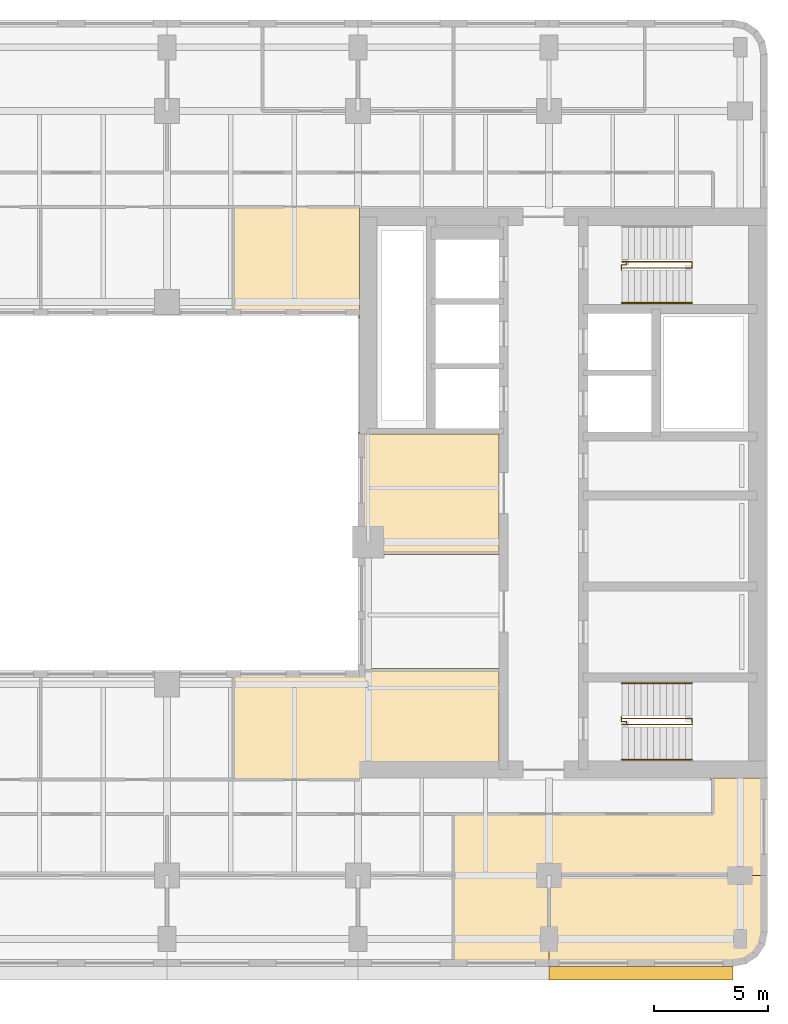
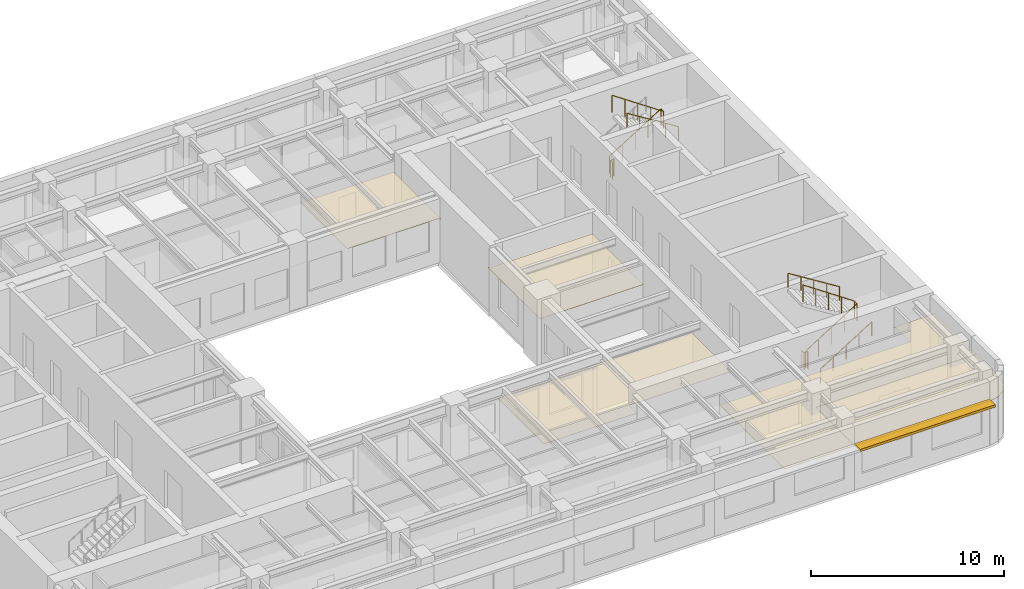
# One storey, part 11 of 12: 7 railings, 5 coverings, 1 shading device.
"""IFC4 building model written with IfcOpenShell, lengths in metres."""

from ifc_helpers import new_model, si_unit, direction, frame, origin, origin_2d, place, context, subcontext, project, spatial, polyline, rectangle, circle, outline, extrude, material, layer, layer_set, type_object, element, save


model = new_model("IFC4")

# Units and contexts
model_context = context("Model", 3, precision=1e-05, world=origin(), true_north=direction((0.0, 1.0)))
body_context = subcontext(model_context, "Body", "Model", "MODEL_VIEW")
ifc_project = project(units=[si_unit("LENGTHUNIT", "METRE"), si_unit("AREAUNIT", "SQUARE_METRE"), si_unit("VOLUMEUNIT", "CUBIC_METRE"), si_unit("PLANEANGLEUNIT", "RADIAN"), si_unit("MASSUNIT", "GRAM", prefix="KILO")], contexts=[model_context])

# Site, building, storey
site_placement = place(None, origin())
site = spatial("IfcSite", under=ifc_project, at=site_placement, CompositionType="ELEMENT")
building_placement = place(site_placement, origin())
building = spatial("IfcBuilding", under=site, at=building_placement, Name="Claustro Exchange Tower", CompositionType="ELEMENT")
storey_placement = place(building_placement, frame((0.0, 0.0, 223.800048828125)))
storey = spatial("IfcBuildingStorey", under=building, at=storey_placement, Name="L51", CompositionType="ELEMENT", Elevation=223.800048828125)

# Coverings
ifc_material_1 = material(Name="Gypsum board ceiling", Category="gypsum board")
ifc_layer_1 = layer(ifc_material_1, 0.02490234375)
ifc_layer_set_1 = layer_set([ifc_layer_1], Name="Gypsum board ceiling")
covering_type = type_object("IfcCoveringType", Name="CL2 plasterboard ceiling", PredefinedType="CEILING", material=ifc_layer_set_1)
covering_1_placement = place(storey_placement, frame((0.0, 0.0, 2.800048828125)))
element("IfcCovering", 1, at=covering_1_placement, inside=storey, type_object=covering_type, Name="Ceiling CL2 L51-06", PredefinedType="CEILING", context=body_context, shape_type="SweptSolid", body=[
    extrude(outline(polyline([(51.60009765625, 5.89990234375), (51.60009765625, 8.39990234375), (42.0, 8.39990234375), (42.0, 4.39990234375), (50.10009765625, 4.39990234375), (50.674072265625, 4.51416015625), (51.16064453125, 4.83935546875), (51.48583984375, 5.325927734375), (51.60009765625, 5.89990234375)])), origin(), (0.0, 0.0, 1.0), 0.02490234375),
])
covering_2_placement = place(storey_placement, frame((0.0, 0.0, 2.800048828125)))
element("IfcCovering", 2, at=covering_2_placement, inside=storey, type_object=covering_type, Name="Ceiling CL2 L51-07", PredefinedType="CEILING", context=body_context, shape_type="SweptSolid", body=[
    extrude(outline(polyline([(51.60009765625, 8.39990234375), (51.60009765625, 12.695068359375), (51.52490234375, 12.695068359375), (51.52490234375, 12.675048828125), (49.10498046875, 12.675048828125), (49.10498046875, 12.60009765625), (49.199951171875, 12.60009765625), (49.199951171875, 11.10009765625), (37.800048828125, 11.10009765625), (37.800048828125, 4.39990234375), (42.0, 4.39990234375), (42.0, 8.39990234375), (51.60009765625, 8.39990234375)])), origin(), (0.0, 0.0, 1.0), 0.02490234375),
])
covering_3_placement = place(storey_placement, frame((0.0, 0.0, 2.800048828125)))
element("IfcCovering", 3, at=covering_3_placement, inside=storey, type_object=covering_type, Name="Ceiling CL2 L51-14", PredefinedType="CEILING", context=body_context, shape_type="SweptSolid", body=[
    extrude(outline(polyline([(39.800048828125, 13.405029296875), (39.800048828125, 17.4951171875), (33.60009765625, 17.4951171875), (33.60009765625, 17.39990234375), (28.1298828125, 17.39990234375), (28.1298828125, 12.60009765625), (33.695068359375, 12.60009765625), (33.695068359375, 13.405029296875), (39.800048828125, 13.405029296875)])), origin(), (0.0, 0.0, 1.0), 0.02490234375),
])
covering_4_placement = place(storey_placement, frame((0.0, 0.0, 2.800048828125)))
element("IfcCovering", 4, at=covering_4_placement, inside=storey, type_object=covering_type, Name="Ceiling CL2 L51-19", PredefinedType="CEILING", context=body_context, shape_type="SweptSolid", body=[
    extrude(outline(polyline([(33.60009765625, 27.89501953125), (33.60009765625, 22.5048828125), (39.800048828125, 22.5048828125), (39.800048828125, 27.800048828125), (33.675048828125, 27.800048828125), (33.675048828125, 27.89501953125), (33.60009765625, 27.89501953125)])), origin(), (0.0, 0.0, 1.0), 0.02490234375),
])
covering_5_placement = place(storey_placement, frame((0.0, 0.0, 2.800048828125)))
element("IfcCovering", 5, at=covering_5_placement, inside=storey, type_object=covering_type, Name="Ceiling CL2 L51-22", PredefinedType="CEILING", context=body_context, shape_type="SweptSolid", body=[
    extrude(outline(polyline([(33.60009765625, 33.0), (33.60009765625, 32.905029296875), (33.675048828125, 32.905029296875), (33.675048828125, 37.72509765625), (33.695068359375, 37.72509765625), (33.695068359375, 37.800048828125), (28.1298828125, 37.800048828125), (28.1298828125, 33.0), (33.60009765625, 33.0)])), origin(), (0.0, 0.0, 1.0), 0.02490234375),
])

# Railings
ifc_material_2 = material(Name="Steel balustrade, painted", Category="steel")
railing_type_1 = type_object("IfcRailingType", Name="GR2 1100 steel stair guard", PredefinedType="GUARDRAIL", material=ifc_material_2)
railing_1_placement = place(storey_placement, frame((45.199951171875, 15.02490234375, 0.175048828125)))
element("IfcRailing", 6, at=railing_1_placement, inside=storey, type_object=railing_type_1, Name="Stair well guard GR2 stair STEA L51", PredefinedType="GUARDRAIL", context=body_context, shape_type="SweptSolid", body=[
    extrude(circle(Radius=0.02392578125, at=origin_2d()), frame((0.0, 0.0, 1.076171875), z_axis=(0.848028513186, 0.0, 0.529950602248), x_axis=(0.0, 1.0, 0.0)), (0.0, 0.0, 1.0), 3.632080078125),
    extrude(circle(Radius=0.02392578125, at=origin_2d()), frame((3.080078125, 0.0, 3.0009765625), z_axis=(0.0, 1.0, 0.0), x_axis=(-1.0, 0.0, 0.0)), (0.0, 0.0, 1.0), 0.275146484375),
    extrude(circle(Radius=0.02392578125, at=origin_2d()), frame((3.080078125, 0.275146484375, 3.0009765625), z_axis=(-0.826221800596, 0.0, 0.563344953133), x_axis=(0.0, -1.0, 0.0)), (0.0, 0.0, 1.0), 3.72802734375),
    extrude(circle(Radius=0.02099609375, at=origin_2d()), origin(), (0.0, 0.0, 1.0), 1.052001953125),
    extrude(circle(Radius=0.02099609375, at=origin_2d()), frame((0.77001953125, 0.0, 0.481201171875)), (0.0, 0.0, 1.0), 1.052001953125),
    extrude(circle(Radius=0.02099609375, at=origin_2d()), frame((1.5400390625, 0.0, 0.96240234375)), (0.0, 0.0, 1.0), 1.052001953125),
    extrude(circle(Radius=0.02099609375, at=origin_2d()), frame((2.31005859375, 0.0, 1.443603515625)), (0.0, 0.0, 1.0), 1.052001953125),
    extrude(circle(Radius=0.02099609375, at=origin_2d()), frame((3.080078125, 0.0, 1.9248046875)), (0.0, 0.0, 1.0), 1.052001953125),
    extrude(circle(Radius=0.02099609375, at=origin_2d()), frame((3.080078125, 0.275146484375, 1.9248046875)), (0.0, 0.0, 1.0), 1.052001953125),
    extrude(circle(Radius=0.02099609375, at=origin_2d()), frame((2.31005859375, 0.275146484375, 2.44970703125)), (0.0, 0.0, 1.0), 1.052001953125),
    extrude(circle(Radius=0.02099609375, at=origin_2d()), frame((1.5400390625, 0.275146484375, 2.974853515625)), (0.0, 0.0, 1.0), 1.052001953125),
    extrude(circle(Radius=0.02099609375, at=origin_2d()), frame((0.77001953125, 0.275146484375, 3.5)), (0.0, 0.0, 1.0), 1.052001953125),
    extrude(circle(Radius=0.02099609375, at=origin_2d()), frame((0.0, 0.275146484375, 4.02490234375)), (0.0, 0.0, 1.0), 1.052001953125),
])
railing_2_placement = place(storey_placement, frame((45.39990234375, 15.094970703125, 0.0)))
element("IfcRailing", 7, at=railing_2_placement, inside=storey, type_object=railing_type_1, Name="Stair guard GR2 STEA L51", PredefinedType="GUARDRAIL", context=body_context, shape_type="SweptSolid", body=[
    extrude(circle(Radius=0.02392578125, at=origin_2d()), frame((0.0, 0.0, 1.076171875), z_axis=(0.0, 1.0, 0.0), x_axis=(-1.0, 0.0, 0.0)), (0.0, 0.0, 1.0), 0.067626953125),
    extrude(circle(Radius=0.02392578125, at=origin_2d()), frame((0.0, 0.067626953125, 1.076171875), z_axis=(-1.0, 0.0, 0.0), x_axis=(0.0, -1.0, 0.0)), (0.0, 0.0, 1.0), 0.224853515625),
    extrude(circle(Radius=0.02392578125, at=origin_2d()), frame((-0.224853515625, 0.067626953125, 1.076171875), z_axis=(0.0, 1.0, 0.0), x_axis=(-1.0, 0.0, 0.0)), (0.0, 0.0, 1.0), 0.21728515625),
    extrude(circle(Radius=0.02099609375, at=origin_2d()), origin(), (0.0, 0.0, 1.0), 1.052001953125),
    extrude(circle(Radius=0.02099609375, at=origin_2d()), frame((0.0, 0.067626953125, 0.0)), (0.0, 0.0, 1.0), 1.052001953125),
    extrude(circle(Radius=0.02099609375, at=origin_2d()), frame((-0.224853515625, 0.067626953125, 0.0)), (0.0, 0.0, 1.0), 1.052001953125),
    extrude(circle(Radius=0.02099609375, at=origin_2d()), frame((-0.224853515625, 0.284912109375, 0.0)), (0.0, 0.0, 1.0), 1.052001953125),
])
railing_3_placement = place(storey_placement, frame((45.199951171875, 35.375, 0.175048828125)))
element("IfcRailing", 8, at=railing_3_placement, inside=storey, type_object=railing_type_1, Name="Stair well guard GR2 stair STEB L51", PredefinedType="GUARDRAIL", context=body_context, shape_type="SweptSolid", body=[
    extrude(circle(Radius=0.02392578125, at=origin_2d()), frame((0.0, 0.0, 1.076171875), z_axis=(0.848028513186, 0.0, 0.529950602248), x_axis=(0.0, 1.0, 0.0)), (0.0, 0.0, 1.0), 3.632080078125),
    extrude(circle(Radius=0.02392578125, at=origin_2d()), frame((3.080078125, 0.0, 3.0009765625), z_axis=(0.0, -1.0, 0.0), x_axis=(1.0, 0.0, 0.0)), (0.0, 0.0, 1.0), 0.27490234375),
    extrude(circle(Radius=0.02392578125, at=origin_2d()), frame((3.080078125, -0.27490234375, 3.0009765625), z_axis=(-0.826221800596, 0.0, 0.563344953133), x_axis=(0.0, -1.0, 0.0)), (0.0, 0.0, 1.0), 3.72802734375),
    extrude(circle(Radius=0.02099609375, at=origin_2d()), origin(), (0.0, 0.0, 1.0), 1.052001953125),
    extrude(circle(Radius=0.02099609375, at=origin_2d()), frame((0.77001953125, 0.0, 0.481201171875)), (0.0, 0.0, 1.0), 1.052001953125),
    extrude(circle(Radius=0.02099609375, at=origin_2d()), frame((1.5400390625, 0.0, 0.96240234375)), (0.0, 0.0, 1.0), 1.052001953125),
    extrude(circle(Radius=0.02099609375, at=origin_2d()), frame((2.31005859375, 0.0, 1.443603515625)), (0.0, 0.0, 1.0), 1.052001953125),
    extrude(circle(Radius=0.02099609375, at=origin_2d()), frame((3.080078125, 0.0, 1.9248046875)), (0.0, 0.0, 1.0), 1.052001953125),
    extrude(circle(Radius=0.02099609375, at=origin_2d()), frame((3.080078125, -0.27490234375, 1.9248046875)), (0.0, 0.0, 1.0), 1.052001953125),
    extrude(circle(Radius=0.02099609375, at=origin_2d()), frame((2.31005859375, -0.27490234375, 2.44970703125)), (0.0, 0.0, 1.0), 1.052001953125),
    extrude(circle(Radius=0.02099609375, at=origin_2d()), frame((1.5400390625, -0.27490234375, 2.974853515625)), (0.0, 0.0, 1.0), 1.052001953125),
    extrude(circle(Radius=0.02099609375, at=origin_2d()), frame((0.77001953125, -0.27490234375, 3.5)), (0.0, 0.0, 1.0), 1.052001953125),
    extrude(circle(Radius=0.02099609375, at=origin_2d()), frame((0.0, -0.27490234375, 4.02490234375)), (0.0, 0.0, 1.0), 1.052001953125),
])
railing_4_placement = place(storey_placement, frame((45.39990234375, 35.304931640625, 0.0)))
element("IfcRailing", 9, at=railing_4_placement, inside=storey, type_object=railing_type_1, Name="Stair guard GR2 STEB L51", PredefinedType="GUARDRAIL", context=body_context, shape_type="SweptSolid", body=[
    extrude(circle(Radius=0.02392578125, at=origin_2d()), frame((0.0, 0.0, 1.076171875), z_axis=(0.0, -1.0, 0.0), x_axis=(1.0, 0.0, 0.0)), (0.0, 0.0, 1.0), 0.0673828125),
    extrude(circle(Radius=0.02392578125, at=origin_2d()), frame((0.0, -0.0673828125, 1.076171875), z_axis=(-1.0, 0.0, 0.0), x_axis=(0.0, -1.0, 0.0)), (0.0, 0.0, 1.0), 0.224853515625),
    extrude(circle(Radius=0.02392578125, at=origin_2d()), frame((-0.224853515625, -0.0673828125, 1.076171875), z_axis=(0.0, -1.0, 0.0), x_axis=(1.0, 0.0, 0.0)), (0.0, 0.0, 1.0), 0.217529296875),
    extrude(circle(Radius=0.02099609375, at=origin_2d()), origin(), (0.0, 0.0, 1.0), 1.052001953125),
    extrude(circle(Radius=0.02099609375, at=origin_2d()), frame((0.0, -0.0673828125, 0.0)), (0.0, 0.0, 1.0), 1.052001953125),
    extrude(circle(Radius=0.02099609375, at=origin_2d()), frame((-0.224853515625, -0.0673828125, 0.0)), (0.0, 0.0, 1.0), 1.052001953125),
    extrude(circle(Radius=0.02099609375, at=origin_2d()), frame((-0.224853515625, -0.284912109375, 0.0)), (0.0, 0.0, 1.0), 1.052001953125),
])
ifc_material_3 = material(Name="Stainless steel tube", Category="steel")
railing_type_2 = type_object("IfcRailingType", Name="HR1 900 stair handrail", PredefinedType="HANDRAIL", material=ifc_material_3)
railing_5_placement = place(storey_placement, frame((45.199951171875, 13.485107421875, 0.175048828125)))
element("IfcRailing", 10, at=railing_5_placement, inside=storey, type_object=railing_type_2, Name="Handrail HR1 stair STEA L51", PredefinedType="HANDRAIL", context=body_context, shape_type="SweptSolid", body=[
    extrude(circle(Radius=0.02392578125, at=origin_2d()), frame((0.0, 0.0, 0.8759765625), z_axis=(0.848028513186, 0.0, 0.529950602248), x_axis=(0.0, 1.0, 0.0)), (0.0, 0.0, 1.0), 3.632080078125),
    extrude(circle(Radius=0.02099609375, at=origin_2d()), origin(), (0.0, 0.0, 1.0), 0.851806640625),
    extrude(circle(Radius=0.02099609375, at=origin_2d()), frame((0.77001953125, 0.0, 0.481201171875)), (0.0, 0.0, 1.0), 0.851806640625),
    extrude(circle(Radius=0.02099609375, at=origin_2d()), frame((1.5400390625, 0.0, 0.96240234375)), (0.0, 0.0, 1.0), 0.851806640625),
    extrude(circle(Radius=0.02099609375, at=origin_2d()), frame((2.31005859375, 0.0, 1.443603515625)), (0.0, 0.0, 1.0), 0.851806640625),
    extrude(circle(Radius=0.02099609375, at=origin_2d()), frame((3.080078125, 0.0, 1.9248046875)), (0.0, 0.0, 1.0), 0.851806640625),
])
for number, where, name in (
    (11, (48.280029296875, 16.840087890625, 2.27490234375), "Handrail HR1 stair STEA L51"),
    (12, (48.280029296875, 33.56005859375, 2.27490234375), "Handrail HR1 stair STEB L51"),
):
    element("IfcRailing", number, at=place(storey_placement, frame(where)), inside=storey, type_object=railing_type_2, Name=name, PredefinedType="HANDRAIL", context=body_context, shape_type="SweptSolid", body=[
        extrude(circle(Radius=0.02392578125, at=origin_2d()), frame((0.0, 0.0, 0.8759765625), z_axis=(-0.847998304005, 0.0, 0.529998940003), x_axis=(0.0, -1.0, 0.0)), (0.0, 0.0, 1.0), 3.632080078125),
        extrude(circle(Radius=0.02099609375, at=origin_2d()), origin(), (0.0, 0.0, 1.0), 0.851806640625),
        extrude(circle(Radius=0.02099609375, at=origin_2d()), frame((-0.77001953125, 0.0, 0.481201171875)), (0.0, 0.0, 1.0), 0.851806640625),
        extrude(circle(Radius=0.02099609375, at=origin_2d()), frame((-1.5400390625, 0.0, 0.96240234375)), (0.0, 0.0, 1.0), 0.851806640625),
        extrude(circle(Radius=0.02099609375, at=origin_2d()), frame((-2.31005859375, 0.0, 1.44384765625)), (0.0, 0.0, 1.0), 0.851806640625),
        extrude(circle(Radius=0.02099609375, at=origin_2d()), frame((-3.080078125, 0.0, 1.925048828125)), (0.0, 0.0, 1.0), 0.851806640625),
    ])

# Shading device
ifc_material_4 = material(Name="Concrete HA-40 (C40/50), precast, white cement, acid-etched", Category="concrete")
ifc_layer_2 = layer(ifc_material_4, 0.14990234375)
ifc_layer_set_2 = layer_set([ifc_layer_2], Name="Concrete HA-40 (C40/50), precast, white cement, acid-etched")
shading_device_type = type_object("IfcShadingDeviceType", Name="SS1 600 precast concrete SUNSHADE", PredefinedType="SHUTTER", material=ifc_layer_set_2)
shading_device_placement = place(storey_placement, frame((46.04248046875, 4.10009765625, 2.800048828125), z_axis=(0.0, 0.0, 1.0), x_axis=(-1.0, 0.0, 0.0)))
element("IfcShadingDevice", 13, at=shading_device_placement, inside=storey, type_object=shading_device_type, Name="Precast SUNSHADE SS1 L51", PredefinedType="SHUTTER", context=body_context, shape_type="SweptSolid", body=[
    extrude(rectangle(XDim=8.085205078125, YDim=0.60009765625, at=origin_2d()), origin(), (0.0, 0.0, 1.0), 0.14990234375),
])

save(model, "model.ifc")
